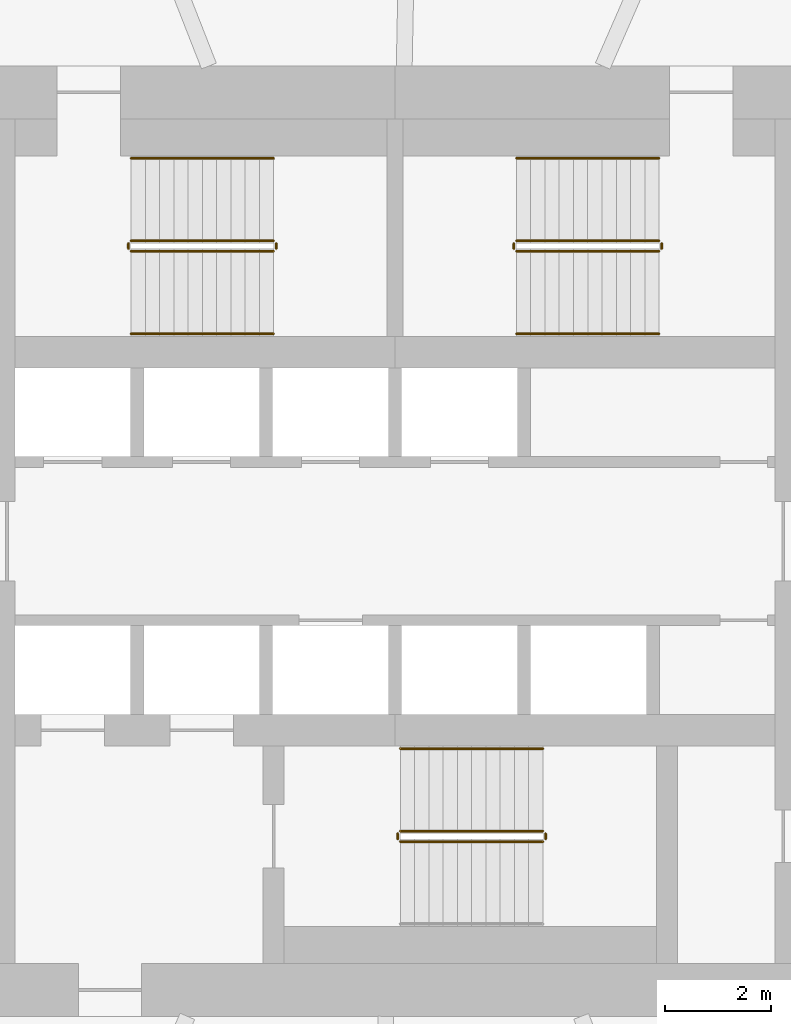
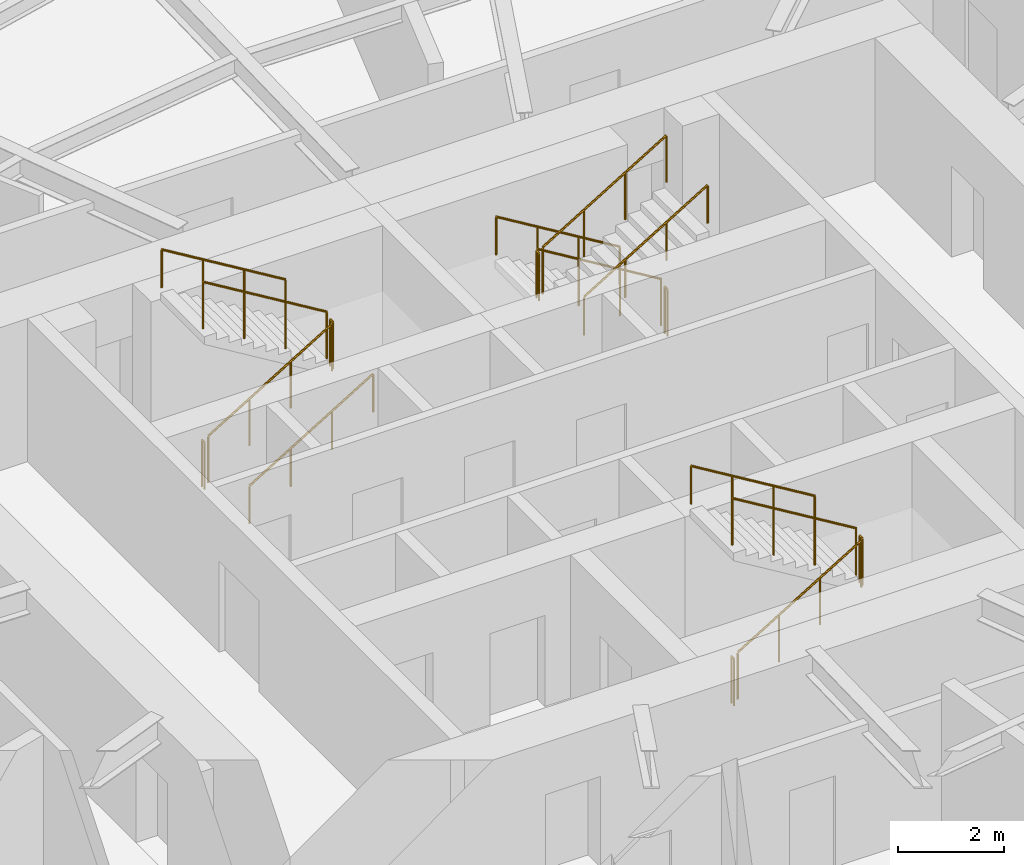
# One storey, part 13 of 14: 17 railings.
"""IFC4 building model written with IfcOpenShell, lengths in metres."""

from ifc_helpers import new_model, si_unit, direction, frame, origin, origin_2d, place, context, subcontext, project, spatial, circle, extrude, material, type_object, element, save


model = new_model("IFC4")

# Units and contexts
model_context = context("Model", 3, precision=1e-05, world=origin(), true_north=direction((0.0, 1.0)))
body_context = subcontext(model_context, "Body", "Model", "MODEL_VIEW")
ifc_project = project(units=[si_unit("LENGTHUNIT", "METRE"), si_unit("AREAUNIT", "SQUARE_METRE"), si_unit("VOLUMEUNIT", "CUBIC_METRE"), si_unit("PLANEANGLEUNIT", "RADIAN"), si_unit("MASSUNIT", "GRAM", prefix="KILO")], contexts=[model_context])

# Site, building, storey
site_placement = place(None, origin())
site = spatial("IfcSite", under=ifc_project, at=site_placement, CompositionType="ELEMENT")
building_placement = place(site_placement, origin())
building = spatial("IfcBuilding", under=site, at=building_placement, Name="Vermilion Reach Broadcast Tower", CompositionType="ELEMENT")
storey_placement = place(building_placement, frame((0.0, 0.0, 172.199951171875)))
storey = spatial("IfcBuildingStorey", under=building, at=storey_placement, Name="L41", CompositionType="ELEMENT", Elevation=172.199951171875)

# Railings
ifc_material_1 = material(Name="Stainless steel", Category="steel")
railing_type_1 = type_object("IfcRailingType", Name="Stair guard 1100", PredefinedType="GUARDRAIL", material=ifc_material_1)
railing_1_placement = place(storey_placement, frame((-11.0, 5.489990234375, 0.16357421875)))
element("IfcRailing", 1, at=railing_1_placement, inside=storey, type_object=railing_type_1, Name="L41 ST1 stair guard 1", PredefinedType="GUARDRAIL", context=body_context, shape_type="SweptSolid", body=[
    extrude(circle(Radius=0.02392578125, at=origin_2d()), frame((0.0, 0.0, 1.076171875), z_axis=(0.855178096276, 0.0, 0.518334277904), x_axis=(0.0, 1.0, 0.0)), (0.0, 0.0, 1.0), 3.1572265625),
    extrude(circle(Radius=0.02099609375, at=origin_2d()), origin(), (0.0, 0.0, 1.0), 1.052001953125),
    extrude(circle(Radius=0.02099609375, at=origin_2d()), frame((0.89990234375, 0.0, 0.54541015625)), (0.0, 0.0, 1.0), 1.052001953125),
    extrude(circle(Radius=0.02099609375, at=origin_2d()), frame((1.800048828125, 0.0, 1.091064453125)), (0.0, 0.0, 1.0), 1.052001953125),
    extrude(circle(Radius=0.02099609375, at=origin_2d()), frame((2.699951171875, 0.0, 1.636474609375)), (0.0, 0.0, 1.0), 1.052001953125),
])
railing_2_placement = place(storey_placement, frame((-8.25, 5.5400390625, 1.800048828125)))
element("IfcRailing", 2, at=railing_2_placement, inside=storey, type_object=railing_type_1, Name="L41 ST1 stair guard 2", PredefinedType="GUARDRAIL", context=body_context, shape_type="SweptSolid", body=[
    extrude(circle(Radius=0.02392578125, at=origin_2d()), frame((0.0, 0.0, 1.076171875), z_axis=(0.0, 1.0, 0.0), x_axis=(-1.0, 0.0, 0.0)), (0.0, 0.0, 1.0), 0.099853515625),
    extrude(circle(Radius=0.02099609375, at=origin_2d()), origin(), (0.0, 0.0, 1.0), 1.052001953125),
    extrude(circle(Radius=0.02099609375, at=origin_2d()), frame((0.0, 0.099853515625, 0.0)), (0.0, 0.0, 1.0), 1.052001953125),
])
railing_3_placement = place(storey_placement, frame((-8.300048828125, 5.68994140625, 1.963623046875)))
element("IfcRailing", 3, at=railing_3_placement, inside=storey, type_object=railing_type_1, Name="L41 ST1 stair guard 3", PredefinedType="GUARDRAIL", context=body_context, shape_type="SweptSolid", body=[
    extrude(circle(Radius=0.02392578125, at=origin_2d()), frame((0.0, 0.0, 1.076171875), z_axis=(-0.855178096276, 0.0, 0.518334277904), x_axis=(0.0, -1.0, 0.0)), (0.0, 0.0, 1.0), 3.1572265625),
    extrude(circle(Radius=0.02099609375, at=origin_2d()), origin(), (0.0, 0.0, 1.0), 1.052001953125),
    extrude(circle(Radius=0.02099609375, at=origin_2d()), frame((-0.89990234375, 0.0, 0.54541015625)), (0.0, 0.0, 1.0), 1.052001953125),
    extrude(circle(Radius=0.02099609375, at=origin_2d()), frame((-1.800048828125, 0.0, 1.091064453125)), (0.0, 0.0, 1.0), 1.052001953125),
    extrude(circle(Radius=0.02099609375, at=origin_2d()), frame((-2.699951171875, 0.0, 1.636474609375)), (0.0, 0.0, 1.0), 1.052001953125),
])
railing_4_placement = place(storey_placement, frame((-11.050048828125, 5.5400390625, 0.0)))
element("IfcRailing", 4, at=railing_4_placement, inside=storey, type_object=railing_type_1, Name="L41 ST1 stair guard 4", PredefinedType="GUARDRAIL", context=body_context, shape_type="SweptSolid", body=[
    extrude(circle(Radius=0.02392578125, at=origin_2d()), frame((0.0, 0.0, 1.076171875), z_axis=(0.0, 1.0, 0.0), x_axis=(-1.0, 0.0, 0.0)), (0.0, 0.0, 1.0), 0.099853515625),
    extrude(circle(Radius=0.02099609375, at=origin_2d()), origin(), (0.0, 0.0, 1.0), 1.052001953125),
    extrude(circle(Radius=0.02099609375, at=origin_2d()), frame((0.0, 0.099853515625, 0.0)), (0.0, 0.0, 1.0), 1.052001953125),
])
railing_5_placement = place(storey_placement, frame((-1.0, 5.68994140625, 0.16357421875)))
element("IfcRailing", 5, at=railing_5_placement, inside=storey, type_object=railing_type_1, Name="L41 ST2 stair guard 1", PredefinedType="GUARDRAIL", context=body_context, shape_type="SweptSolid", body=[
    extrude(circle(Radius=0.02392578125, at=origin_2d()), frame((0.0, 0.0, 1.076171875), z_axis=(-0.855178096276, 0.0, 0.518334277904), x_axis=(0.0, -1.0, 0.0)), (0.0, 0.0, 1.0), 3.1572265625),
    extrude(circle(Radius=0.02099609375, at=origin_2d()), origin(), (0.0, 0.0, 1.0), 1.052001953125),
    extrude(circle(Radius=0.02099609375, at=origin_2d()), frame((-0.89990234375, 0.0, 0.54541015625)), (0.0, 0.0, 1.0), 1.052001953125),
    extrude(circle(Radius=0.02099609375, at=origin_2d()), frame((-1.800048828125, 0.0, 1.091064453125)), (0.0, 0.0, 1.0), 1.052001953125),
    extrude(circle(Radius=0.02099609375, at=origin_2d()), frame((-2.699951171875, 0.0, 1.636474609375)), (0.0, 0.0, 1.0), 1.052001953125),
])
railing_6_placement = place(storey_placement, frame((-3.75, 5.639892578125, 1.800048828125)))
element("IfcRailing", 6, at=railing_6_placement, inside=storey, type_object=railing_type_1, Name="L41 ST2 stair guard 2", PredefinedType="GUARDRAIL", context=body_context, shape_type="SweptSolid", body=[
    extrude(circle(Radius=0.02392578125, at=origin_2d()), frame((0.0, 0.0, 1.076171875), z_axis=(0.0, -1.0, 0.0), x_axis=(1.0, 0.0, 0.0)), (0.0, 0.0, 1.0), 0.099853515625),
    extrude(circle(Radius=0.02099609375, at=origin_2d()), origin(), (0.0, 0.0, 1.0), 1.052001953125),
    extrude(circle(Radius=0.02099609375, at=origin_2d()), frame((0.0, -0.099853515625, 0.0)), (0.0, 0.0, 1.0), 1.052001953125),
])
railing_7_placement = place(storey_placement, frame((-3.699951171875, 5.489990234375, 1.963623046875)))
element("IfcRailing", 7, at=railing_7_placement, inside=storey, type_object=railing_type_1, Name="L41 ST2 stair guard 3", PredefinedType="GUARDRAIL", context=body_context, shape_type="SweptSolid", body=[
    extrude(circle(Radius=0.02392578125, at=origin_2d()), frame((0.0, 0.0, 1.076171875), z_axis=(0.855178096276, 0.0, 0.518334277904), x_axis=(0.0, 1.0, 0.0)), (0.0, 0.0, 1.0), 3.1572265625),
    extrude(circle(Radius=0.02099609375, at=origin_2d()), origin(), (0.0, 0.0, 1.0), 1.052001953125),
    extrude(circle(Radius=0.02099609375, at=origin_2d()), frame((0.89990234375, 0.0, 0.54541015625)), (0.0, 0.0, 1.0), 1.052001953125),
    extrude(circle(Radius=0.02099609375, at=origin_2d()), frame((1.800048828125, 0.0, 1.091064453125)), (0.0, 0.0, 1.0), 1.052001953125),
    extrude(circle(Radius=0.02099609375, at=origin_2d()), frame((2.699951171875, 0.0, 1.636474609375)), (0.0, 0.0, 1.0), 1.052001953125),
])
railing_8_placement = place(storey_placement, frame((-0.949951171875, 5.639892578125, 0.0)))
element("IfcRailing", 8, at=railing_8_placement, inside=storey, type_object=railing_type_1, Name="L41 ST2 stair guard 4", PredefinedType="GUARDRAIL", context=body_context, shape_type="SweptSolid", body=[
    extrude(circle(Radius=0.02392578125, at=origin_2d()), frame((0.0, 0.0, 1.076171875), z_axis=(0.0, -1.0, 0.0), x_axis=(1.0, 0.0, 0.0)), (0.0, 0.0, 1.0), 0.099853515625),
    extrude(circle(Radius=0.02099609375, at=origin_2d()), origin(), (0.0, 0.0, 1.0), 1.052001953125),
    extrude(circle(Radius=0.02099609375, at=origin_2d()), frame((0.0, -0.099853515625, 0.0)), (0.0, 0.0, 1.0), 1.052001953125),
])
railing_9_placement = place(storey_placement, frame((-5.89990234375, -5.68994140625, 0.16357421875)))
element("IfcRailing", 9, at=railing_9_placement, inside=storey, type_object=railing_type_1, Name="L41 ST3 stair guard 1", PredefinedType="GUARDRAIL", context=body_context, shape_type="SweptSolid", body=[
    extrude(circle(Radius=0.02392578125, at=origin_2d()), frame((0.0, 0.0, 1.076171875), z_axis=(0.855178096276, 0.0, 0.518334277904), x_axis=(0.0, 1.0, 0.0)), (0.0, 0.0, 1.0), 3.1572265625),
    extrude(circle(Radius=0.02099609375, at=origin_2d()), origin(), (0.0, 0.0, 1.0), 1.052001953125),
    extrude(circle(Radius=0.02099609375, at=origin_2d()), frame((0.89990234375, 0.0, 0.54541015625)), (0.0, 0.0, 1.0), 1.052001953125),
    extrude(circle(Radius=0.02099609375, at=origin_2d()), frame((1.800048828125, 0.0, 1.091064453125)), (0.0, 0.0, 1.0), 1.052001953125),
    extrude(circle(Radius=0.02099609375, at=origin_2d()), frame((2.699951171875, 0.0, 1.636474609375)), (0.0, 0.0, 1.0), 1.052001953125),
])
railing_10_placement = place(storey_placement, frame((-3.14990234375, -5.639892578125, 1.800048828125)))
element("IfcRailing", 10, at=railing_10_placement, inside=storey, type_object=railing_type_1, Name="L41 ST3 stair guard 2", PredefinedType="GUARDRAIL", context=body_context, shape_type="SweptSolid", body=[
    extrude(circle(Radius=0.02392578125, at=origin_2d()), frame((0.0, 0.0, 1.076171875), z_axis=(0.0, 1.0, 0.0), x_axis=(-1.0, 0.0, 0.0)), (0.0, 0.0, 1.0), 0.099853515625),
    extrude(circle(Radius=0.02099609375, at=origin_2d()), origin(), (0.0, 0.0, 1.0), 1.052001953125),
    extrude(circle(Radius=0.02099609375, at=origin_2d()), frame((0.0, 0.099853515625, 0.0)), (0.0, 0.0, 1.0), 1.052001953125),
])
railing_11_placement = place(storey_placement, frame((-3.199951171875, -5.489990234375, 1.963623046875)))
element("IfcRailing", 11, at=railing_11_placement, inside=storey, type_object=railing_type_1, Name="L41 ST3 stair guard 3", PredefinedType="GUARDRAIL", context=body_context, shape_type="SweptSolid", body=[
    extrude(circle(Radius=0.02392578125, at=origin_2d()), frame((0.0, 0.0, 1.076171875), z_axis=(-0.855178096276, 0.0, 0.518334277904), x_axis=(0.0, -1.0, 0.0)), (0.0, 0.0, 1.0), 3.1572265625),
    extrude(circle(Radius=0.02099609375, at=origin_2d()), origin(), (0.0, 0.0, 1.0), 1.052001953125),
    extrude(circle(Radius=0.02099609375, at=origin_2d()), frame((-0.89990234375, 0.0, 0.54541015625)), (0.0, 0.0, 1.0), 1.052001953125),
    extrude(circle(Radius=0.02099609375, at=origin_2d()), frame((-1.800048828125, 0.0, 1.091064453125)), (0.0, 0.0, 1.0), 1.052001953125),
    extrude(circle(Radius=0.02099609375, at=origin_2d()), frame((-2.699951171875, 0.0, 1.636474609375)), (0.0, 0.0, 1.0), 1.052001953125),
])
railing_12_placement = place(storey_placement, frame((-5.949951171875, -5.639892578125, 0.0)))
element("IfcRailing", 12, at=railing_12_placement, inside=storey, type_object=railing_type_1, Name="L41 ST3 stair guard 4", PredefinedType="GUARDRAIL", context=body_context, shape_type="SweptSolid", body=[
    extrude(circle(Radius=0.02392578125, at=origin_2d()), frame((0.0, 0.0, 1.076171875), z_axis=(0.0, 1.0, 0.0), x_axis=(-1.0, 0.0, 0.0)), (0.0, 0.0, 1.0), 0.099853515625),
    extrude(circle(Radius=0.02099609375, at=origin_2d()), origin(), (0.0, 0.0, 1.0), 1.052001953125),
    extrude(circle(Radius=0.02099609375, at=origin_2d()), frame((0.0, 0.099853515625, 0.0)), (0.0, 0.0, 1.0), 1.052001953125),
])
ifc_material_2 = material(Name="Stainless steel", Category="steel")
railing_type_2 = type_object("IfcRailingType", Name="Stair handrail", PredefinedType="HANDRAIL", material=ifc_material_2)
railing_13_placement = place(storey_placement, frame((-11.0, 3.929931640625, 0.16357421875)))
element("IfcRailing", 13, at=railing_13_placement, inside=storey, type_object=railing_type_2, Name="L41 ST1 stair handrail 1", PredefinedType="HANDRAIL", context=body_context, shape_type="SweptSolid", body=[
    extrude(circle(Radius=0.02392578125, at=origin_2d()), frame((0.0, 0.0, 0.8759765625), z_axis=(0.855178096276, 0.0, 0.518334277904), x_axis=(0.0, 1.0, 0.0)), (0.0, 0.0, 1.0), 3.1572265625),
    extrude(circle(Radius=0.02099609375, at=origin_2d()), origin(), (0.0, 0.0, 1.0), 0.851806640625),
    extrude(circle(Radius=0.02099609375, at=origin_2d()), frame((0.89990234375, 0.0, 0.54541015625)), (0.0, 0.0, 1.0), 0.851806640625),
    extrude(circle(Radius=0.02099609375, at=origin_2d()), frame((1.800048828125, 0.0, 1.091064453125)), (0.0, 0.0, 1.0), 0.851806640625),
    extrude(circle(Radius=0.02099609375, at=origin_2d()), frame((2.699951171875, 0.0, 1.636474609375)), (0.0, 0.0, 1.0), 0.851806640625),
])
for number, where, name in (
    (14, (-8.300048828125, 7.25, 1.963623046875), "L41 ST1 stair handrail 2"),
    (15, (-1.0, 7.25, 0.16357421875), "L41 ST2 stair handrail 1"),
):
    element("IfcRailing", number, at=place(storey_placement, frame(where)), inside=storey, type_object=railing_type_2, Name=name, PredefinedType="HANDRAIL", context=body_context, shape_type="SweptSolid", body=[
        extrude(circle(Radius=0.02392578125, at=origin_2d()), frame((0.0, 0.0, 0.8759765625), z_axis=(-0.855178096276, 0.0, 0.518334277904), x_axis=(0.0, -1.0, 0.0)), (0.0, 0.0, 1.0), 3.1572265625),
        extrude(circle(Radius=0.02099609375, at=origin_2d()), origin(), (0.0, 0.0, 1.0), 0.851806640625),
        extrude(circle(Radius=0.02099609375, at=origin_2d()), frame((-0.89990234375, 0.0, 0.54541015625)), (0.0, 0.0, 1.0), 0.851806640625),
        extrude(circle(Radius=0.02099609375, at=origin_2d()), frame((-1.800048828125, 0.0, 1.091064453125)), (0.0, 0.0, 1.0), 0.851806640625),
        extrude(circle(Radius=0.02099609375, at=origin_2d()), frame((-2.699951171875, 0.0, 1.636474609375)), (0.0, 0.0, 1.0), 0.851806640625),
    ])
railing_14_placement = place(storey_placement, frame((-3.699951171875, 3.929931640625, 1.963623046875)))
element("IfcRailing", 16, at=railing_14_placement, inside=storey, type_object=railing_type_2, Name="L41 ST2 stair handrail 2", PredefinedType="HANDRAIL", context=body_context, shape_type="SweptSolid", body=[
    extrude(circle(Radius=0.02392578125, at=origin_2d()), frame((0.0, 0.0, 0.8759765625), z_axis=(0.855178096276, 0.0, 0.518334277904), x_axis=(0.0, 1.0, 0.0)), (0.0, 0.0, 1.0), 3.1572265625),
    extrude(circle(Radius=0.02099609375, at=origin_2d()), origin(), (0.0, 0.0, 1.0), 0.851806640625),
    extrude(circle(Radius=0.02099609375, at=origin_2d()), frame((0.89990234375, 0.0, 0.54541015625)), (0.0, 0.0, 1.0), 0.851806640625),
    extrude(circle(Radius=0.02099609375, at=origin_2d()), frame((1.800048828125, 0.0, 1.091064453125)), (0.0, 0.0, 1.0), 0.851806640625),
    extrude(circle(Radius=0.02099609375, at=origin_2d()), frame((2.699951171875, 0.0, 1.636474609375)), (0.0, 0.0, 1.0), 0.851806640625),
])
railing_15_placement = place(storey_placement, frame((-3.199951171875, -3.929931640625, 1.963623046875)))
element("IfcRailing", 17, at=railing_15_placement, inside=storey, type_object=railing_type_2, Name="L41 ST3 stair handrail 2", PredefinedType="HANDRAIL", context=body_context, shape_type="SweptSolid", body=[
    extrude(circle(Radius=0.02392578125, at=origin_2d()), frame((0.0, 0.0, 0.8759765625), z_axis=(-0.855178096276, 0.0, 0.518334277904), x_axis=(0.0, -1.0, 0.0)), (0.0, 0.0, 1.0), 3.1572265625),
    extrude(circle(Radius=0.02099609375, at=origin_2d()), origin(), (0.0, 0.0, 1.0), 0.851806640625),
    extrude(circle(Radius=0.02099609375, at=origin_2d()), frame((-0.89990234375, 0.0, 0.54541015625)), (0.0, 0.0, 1.0), 0.851806640625),
    extrude(circle(Radius=0.02099609375, at=origin_2d()), frame((-1.800048828125, 0.0, 1.091064453125)), (0.0, 0.0, 1.0), 0.851806640625),
    extrude(circle(Radius=0.02099609375, at=origin_2d()), frame((-2.699951171875, 0.0, 1.636474609375)), (0.0, 0.0, 1.0), 0.851806640625),
])

save(model, "model.ifc")
